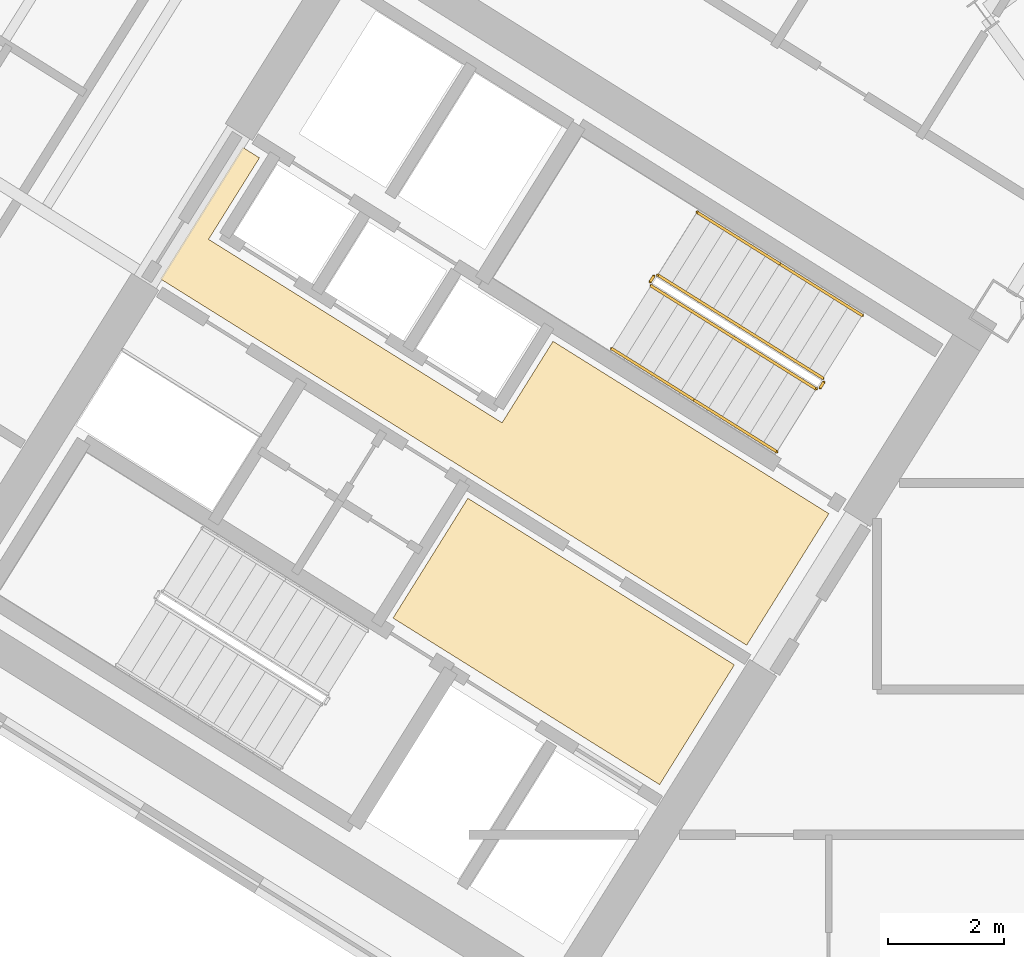
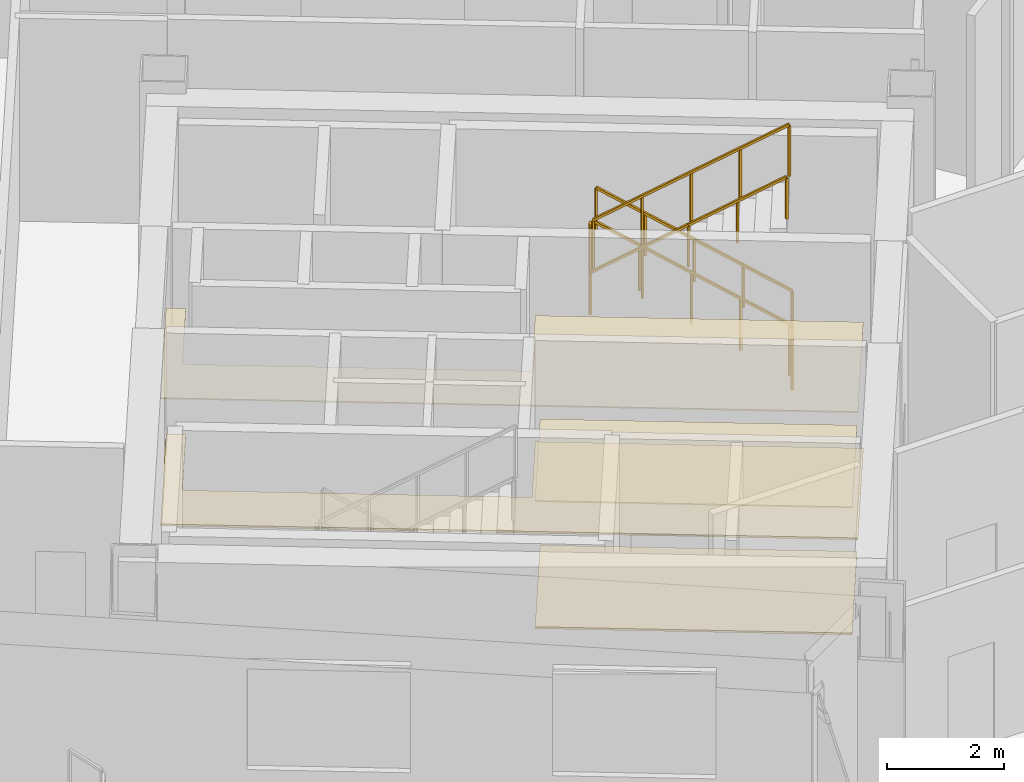
# One storey, part 19 of 21: 8 railings, 4 coverings.
"""IFC4 building model written with IfcOpenShell, lengths in metres."""

from ifc_helpers import new_model, si_unit, direction, frame, origin, origin_2d, place, context, subcontext, project, spatial, polyline, rectangle, outline, extrude, source, transform, mapped, material, layer, layer_set, type_object, element, save


model = new_model("IFC4")

# Units and contexts
model_context = context("Model", 3, precision=1e-05, world=origin(), true_north=direction((0.0, 1.0)))
body_context = subcontext(model_context, "Body", "Model", "MODEL_VIEW")
ifc_project = project(units=[si_unit("LENGTHUNIT", "METRE"), si_unit("AREAUNIT", "SQUARE_METRE"), si_unit("VOLUMEUNIT", "CUBIC_METRE"), si_unit("PLANEANGLEUNIT", "RADIAN"), si_unit("MASSUNIT", "GRAM", prefix="KILO")], contexts=[model_context])

# Site, building, storey
site_placement = place(None, origin())
site = spatial("IfcSite", under=ifc_project, at=site_placement, CompositionType="ELEMENT")
building_placement = place(site_placement, origin())
building = spatial("IfcBuilding", under=site, at=building_placement, Name="Tlacorven Tower", CompositionType="ELEMENT")
storey_placement = place(building_placement, frame((0.0, 0.0, 199.5)))
storey = spatial("IfcBuildingStorey", under=building, at=storey_placement, Name="L50", CompositionType="ELEMENT", Elevation=199.5)

# Coverings
ifc_material_1 = material(Name="Acoustic mineral-fibre ceiling")
ifc_layer_1 = layer(ifc_material_1, 0.02490234375)
ifc_layer_set_1 = layer_set([ifc_layer_1], Name="Acoustic mineral-fibre ceiling")
covering_type_1 = type_object("IfcCoveringType", Name="CV-CLG-ACST", PredefinedType="CEILING", material=ifc_layer_set_1)
covering_1_placement = place(storey_placement, frame((0.0, 0.0, 2.64990234375)))
element("IfcCovering", 1, at=covering_1_placement, inside=storey, type_object=covering_type_1, Name="L50 Acoustic Suspended Ceiling 1", PredefinedType="CEILING", context=body_context, shape_type="SweptSolid", body=[
    extrude(outline(polyline([(36.185302734375, 18.35595703125), (34.892333984375, 16.286865234375), (30.287353515625, 19.164306640625), (31.580322265625, 21.2333984375), (36.185302734375, 18.35595703125)])), origin(), (0.0, 0.0, 1.0), 0.025146484375),
])
covering_2_placement = place(storey_placement, frame((0.0, 0.0, 2.64990234375)))
element("IfcCovering", 2, at=covering_2_placement, inside=storey, type_object=covering_type_1, Name="L50 Acoustic Suspended Ceiling 2", PredefinedType="CEILING", context=body_context, shape_type="SweptSolid", body=[
    extrude(outline(polyline([(37.8173828125, 20.968017578125), (36.397216796875, 18.6953125), (26.271484375, 25.0224609375), (27.691650390625, 27.295166015625), (27.97998046875, 27.114990234375), (27.100341796875, 25.707275390625), (32.171630859375, 22.538330078125), (33.05126953125, 23.946044921875), (37.8173828125, 20.968017578125)])), origin(), (0.0, 0.0, 1.0), 0.025146484375),
])
ifc_material_2 = material(Name="Terrazzo and ceramic flooring")
ifc_layer_2 = layer(ifc_material_2, 0.0400390625)
ifc_layer_set_2 = layer_set([ifc_layer_2], Name="Terrazzo and ceramic flooring")
covering_type_2 = type_object("IfcCoveringType", Name="CV-FLR-TERZ", PredefinedType="FLOORING", material=ifc_layer_set_2)
covering_3_placement = place(storey_placement, origin())
element("IfcCovering", 3, at=covering_3_placement, inside=storey, type_object=covering_type_2, Name="L50 Terrazzo Floor Finish 1", PredefinedType="FLOORING", context=body_context, shape_type="SweptSolid", body=[
    extrude(outline(polyline([(36.185302734375, 18.35595703125), (34.892333984375, 16.286865234375), (30.287353515625, 19.164306640625), (31.580322265625, 21.2333984375), (36.185302734375, 18.35595703125)])), origin(), (0.0, 0.0, 1.0), 0.0400390625),
])
covering_4_placement = place(storey_placement, origin())
element("IfcCovering", 4, at=covering_4_placement, inside=storey, type_object=covering_type_2, Name="L50 Terrazzo Floor Finish 2", PredefinedType="FLOORING", context=body_context, shape_type="SweptSolid", body=[
    extrude(outline(polyline([(37.8173828125, 20.968017578125), (36.397216796875, 18.6953125), (26.271484375, 25.0224609375), (27.691650390625, 27.295166015625), (27.97998046875, 27.114990234375), (27.100341796875, 25.707275390625), (32.171630859375, 22.538330078125), (33.05126953125, 23.946044921875), (37.8173828125, 20.968017578125)])), origin(), (0.0, 0.0, 1.0), 0.0400390625),
])

# Railings
ifc_material_3 = material(Name="Aluminium and painted steel balustrade", Category="steel")
railing_type_1 = type_object("IfcRailingType", Name="RL-GRD-1100", PredefinedType="GUARDRAIL", material=ifc_material_3)
shared_shape_1 = source(origin(), body_context, "Body", "SweptSolid", [
    extrude(rectangle(XDim=0.048095703125, YDim=0.048095703125, at=origin_2d()), frame((0.0, 0.0, 1.076171875), z_axis=(-0.530546985787, -0.847655529016, 0.0), x_axis=(0.847655529016, -0.530546985787, 0.0)), (0.0, 0.0, 1.0), 0.1201171875),
    extrude(rectangle(XDim=0.0419921875, YDim=0.0419921875, at=origin_2d()), origin(), (0.0, 0.0, 1.0), 1.052001953125),
    extrude(rectangle(XDim=0.0419921875, YDim=0.0419921875, at=origin_2d()), frame((-0.063720703125, -0.101806640625, 0.0)), (0.0, 0.0, 1.0), 1.052001953125),
])
for number, where, name in (
    (5, (34.7939453125, 25.07421875, 2.25), "L50 ST-W2 stair guard 2"),
    (6, (37.728271484375, 23.24072265625, 0.0), "L50 ST-W2 stair guard 4"),
):
    element("IfcRailing", number, at=place(storey_placement, frame(where)), inside=storey, type_object=railing_type_1, Name=name, PredefinedType="GUARDRAIL", context=body_context, shape_type="MappedRepresentation", body=[
        mapped(shared_shape_1, transform((0.0, 0.0, 0.0), scale=1.0)),
    ])
shared_shape_2 = source(origin(), body_context, "Body", "SweptSolid", [
    extrude(rectangle(XDim=0.048095703125, YDim=0.048095703125, at=origin_2d()), frame((0.0, 0.0, 1.076171875), z_axis=(-0.721354668439, 0.45076168254, 0.525795918465), x_axis=(-0.529927092104, -0.84804320471, 0.0)), (0.0, 0.0, 1.0), 3.949951171875),
    extrude(rectangle(XDim=0.0419921875, YDim=0.0419921875, at=origin_2d()), origin(), (0.0, 0.0, 1.0), 1.052001953125),
    extrude(rectangle(XDim=0.0419921875, YDim=0.0419921875, at=origin_2d()), frame((-0.71240234375, 0.445068359375, 0.519287109375)), (0.0, 0.0, 1.0), 1.052001953125),
    extrude(rectangle(XDim=0.0419921875, YDim=0.0419921875, at=origin_2d()), frame((-1.4248046875, 0.89013671875, 1.03857421875)), (0.0, 0.0, 1.0), 1.052001953125),
    extrude(rectangle(XDim=0.0419921875, YDim=0.0419921875, at=origin_2d()), frame((-2.136962890625, 1.33544921875, 1.5576171875)), (0.0, 0.0, 1.0), 1.052001953125),
    extrude(rectangle(XDim=0.0419921875, YDim=0.0419921875, at=origin_2d()), frame((-2.849365234375, 1.780517578125, 2.076904296875)), (0.0, 0.0, 1.0), 1.052001953125),
])
railing_1_placement = place(storey_placement, frame((37.712158203125, 23.3095703125, 0.173095703125)))
element("IfcRailing", 7, at=railing_1_placement, inside=storey, type_object=railing_type_1, Name="L50 ST-W2 stair guard 1", PredefinedType="GUARDRAIL", context=body_context, shape_type="MappedRepresentation", body=[
    mapped(shared_shape_2, transform((0.0, 0.0, 0.0), scale=1.0)),
])
railing_type_2 = type_object("IfcRailingType", Name="RL-HND-0900", PredefinedType="HANDRAIL", material=ifc_material_3)
shared_shape_3 = source(origin(), body_context, "Body", "SweptSolid", [
    extrude(rectangle(XDim=0.048095703125, YDim=0.048095703125, at=origin_2d()), frame((0.0, 0.0, 0.8759765625), z_axis=(0.721340775611, -0.4507761838, 0.52580254617), x_axis=(0.529946692594, 0.848030956397, 0.0)), (0.0, 0.0, 1.0), 1.97509765625),
    extrude(rectangle(XDim=0.0419921875, YDim=0.0419921875, at=origin_2d()), origin(), (0.0, 0.0, 1.0), 0.851806640625),
    extrude(rectangle(XDim=0.0419921875, YDim=0.0419921875, at=origin_2d()), frame((0.71240234375, -0.4453125, 0.519287109375)), (0.0, 0.0, 1.0), 0.851806640625),
    extrude(rectangle(XDim=0.0419921875, YDim=0.0419921875, at=origin_2d()), frame((1.4248046875, -0.890380859375, 1.03857421875)), (0.0, 0.0, 1.0), 0.851806640625),
])
railing_2_placement = place(storey_placement, frame((35.49267578125, 22.927734375, 3.46142578125)))
element("IfcRailing", 8, at=railing_2_placement, inside=storey, type_object=railing_type_2, Name="L50 ST-W2 stair handrail 4", PredefinedType="HANDRAIL", context=body_context, shape_type="MappedRepresentation", body=[
    mapped(shared_shape_3, transform((0.0, 0.0, 0.0), scale=1.0)),
])
shared_shape_4 = source(origin(), body_context, "Body", "SweptSolid", [
    extrude(rectangle(XDim=0.048095703125, YDim=0.048095703125, at=origin_2d()), frame((0.0, 0.0, 0.8759765625), z_axis=(-0.721387654753, 0.450805479247, 0.525713107551), x_axis=(-0.529946692594, -0.848030956397, 0.0)), (0.0, 0.0, 1.0), 1.97509765625),
    extrude(rectangle(XDim=0.0419921875, YDim=0.0419921875, at=origin_2d()), origin(), (0.0, 0.0, 1.0), 0.851806640625),
    extrude(rectangle(XDim=0.0419921875, YDim=0.0419921875, at=origin_2d()), frame((-0.71240234375, 0.4453125, 0.51904296875)), (0.0, 0.0, 1.0), 0.851806640625),
    extrude(rectangle(XDim=0.0419921875, YDim=0.0419921875, at=origin_2d()), frame((-1.4248046875, 0.890380859375, 1.038330078125)), (0.0, 0.0, 1.0), 0.851806640625),
])
railing_3_placement = place(storey_placement, frame((38.390625, 24.39501953125, 0.173095703125)))
element("IfcRailing", 9, at=railing_3_placement, inside=storey, type_object=railing_type_2, Name="L50 ST-W2 stair handrail 1", PredefinedType="HANDRAIL", context=body_context, shape_type="MappedRepresentation", body=[
    mapped(shared_shape_4, transform((0.0, 0.0, 0.0), scale=1.0)),
])
shared_shape_5 = source(origin(), body_context, "Body", "SweptSolid", [
    extrude(rectangle(XDim=0.048095703125, YDim=0.048095703125, at=origin_2d()), frame((0.0, 0.0, 0.8759765625), z_axis=(-0.721380964259, 0.45067768946, 0.525831840637), x_axis=(-0.52984217967, -0.848096259066, 0.0)), (0.0, 0.0, 1.0), 1.97509765625),
    extrude(rectangle(XDim=0.0419921875, YDim=0.0419921875, at=origin_2d()), origin(), (0.0, 0.0, 1.0), 0.851806640625),
    extrude(rectangle(XDim=0.0419921875, YDim=0.0419921875, at=origin_2d()), frame((-0.71240234375, 0.445068359375, 0.519287109375)), (0.0, 0.0, 1.0), 0.851806640625),
    extrude(rectangle(XDim=0.0419921875, YDim=0.0419921875, at=origin_2d()), frame((-1.4248046875, 0.89013671875, 1.03857421875)), (0.0, 0.0, 1.0), 0.851806640625),
])
railing_4_placement = place(storey_placement, frame((36.9658203125, 25.285400390625, 1.21142578125)))
element("IfcRailing", 10, at=railing_4_placement, inside=storey, type_object=railing_type_2, Name="L50 ST-W2 stair handrail 2", PredefinedType="HANDRAIL", context=body_context, shape_type="MappedRepresentation", body=[
    mapped(shared_shape_5, transform((0.0, 0.0, 0.0), scale=1.0)),
])
shared_shape_6 = source(origin(), body_context, "Body", "SweptSolid", [
    extrude(rectangle(XDim=0.048095703125, YDim=0.048095703125, at=origin_2d()), frame((0.0, 0.0, 1.076171875), z_axis=(0.721354668439, -0.45076168254, 0.525795918465), x_axis=(0.529927092104, 0.84804320471, 0.0)), (0.0, 0.0, 1.0), 3.949951171875),
    extrude(rectangle(XDim=0.0419921875, YDim=0.0419921875, at=origin_2d()), origin(), (0.0, 0.0, 1.0), 1.052001953125),
    extrude(rectangle(XDim=0.0419921875, YDim=0.0419921875, at=origin_2d()), frame((0.71240234375, -0.445068359375, 0.519287109375)), (0.0, 0.0, 1.0), 1.052001953125),
    extrude(rectangle(XDim=0.0419921875, YDim=0.0419921875, at=origin_2d()), frame((1.4248046875, -0.89013671875, 1.03857421875)), (0.0, 0.0, 1.0), 1.052001953125),
    extrude(rectangle(XDim=0.0419921875, YDim=0.0419921875, at=origin_2d()), frame((2.136962890625, -1.33544921875, 1.5576171875)), (0.0, 0.0, 1.0), 1.052001953125),
    extrude(rectangle(XDim=0.0419921875, YDim=0.0419921875, at=origin_2d()), frame((2.849365234375, -1.780517578125, 2.076904296875)), (0.0, 0.0, 1.0), 1.052001953125),
])
railing_5_placement = place(storey_placement, frame((34.746337890625, 24.903564453125, 2.423095703125)))
element("IfcRailing", 11, at=railing_5_placement, inside=storey, type_object=railing_type_1, Name="L50 ST-W2 stair guard 3", PredefinedType="GUARDRAIL", context=body_context, shape_type="MappedRepresentation", body=[
    mapped(shared_shape_6, transform((0.0, 0.0, 0.0), scale=1.0)),
])
shared_shape_7 = source(origin(), body_context, "Body", "SweptSolid", [
    extrude(rectangle(XDim=0.048095703125, YDim=0.048095703125, at=origin_2d()), frame((0.0, 0.0, 0.8759765625), z_axis=(0.721427851237, -0.45070698177, 0.525742400842), x_axis=(0.52984217967, 0.848096259066, 0.0)), (0.0, 0.0, 1.0), 1.97509765625),
    extrude(rectangle(XDim=0.0419921875, YDim=0.0419921875, at=origin_2d()), origin(), (0.0, 0.0, 1.0), 0.851806640625),
    extrude(rectangle(XDim=0.0419921875, YDim=0.0419921875, at=origin_2d()), frame((0.71240234375, -0.445068359375, 0.51904296875)), (0.0, 0.0, 1.0), 0.851806640625),
    extrude(rectangle(XDim=0.0419921875, YDim=0.0419921875, at=origin_2d()), frame((1.4248046875, -0.89013671875, 1.038330078125)), (0.0, 0.0, 1.0), 0.851806640625),
])
railing_6_placement = place(storey_placement, frame((34.06787109375, 23.81787109375, 2.423095703125)))
element("IfcRailing", 12, at=railing_6_placement, inside=storey, type_object=railing_type_2, Name="L50 ST-W2 stair handrail 3", PredefinedType="HANDRAIL", context=body_context, shape_type="MappedRepresentation", body=[
    mapped(shared_shape_7, transform((0.0, 0.0, 0.0), scale=1.0)),
])

save(model, "model.ifc")
